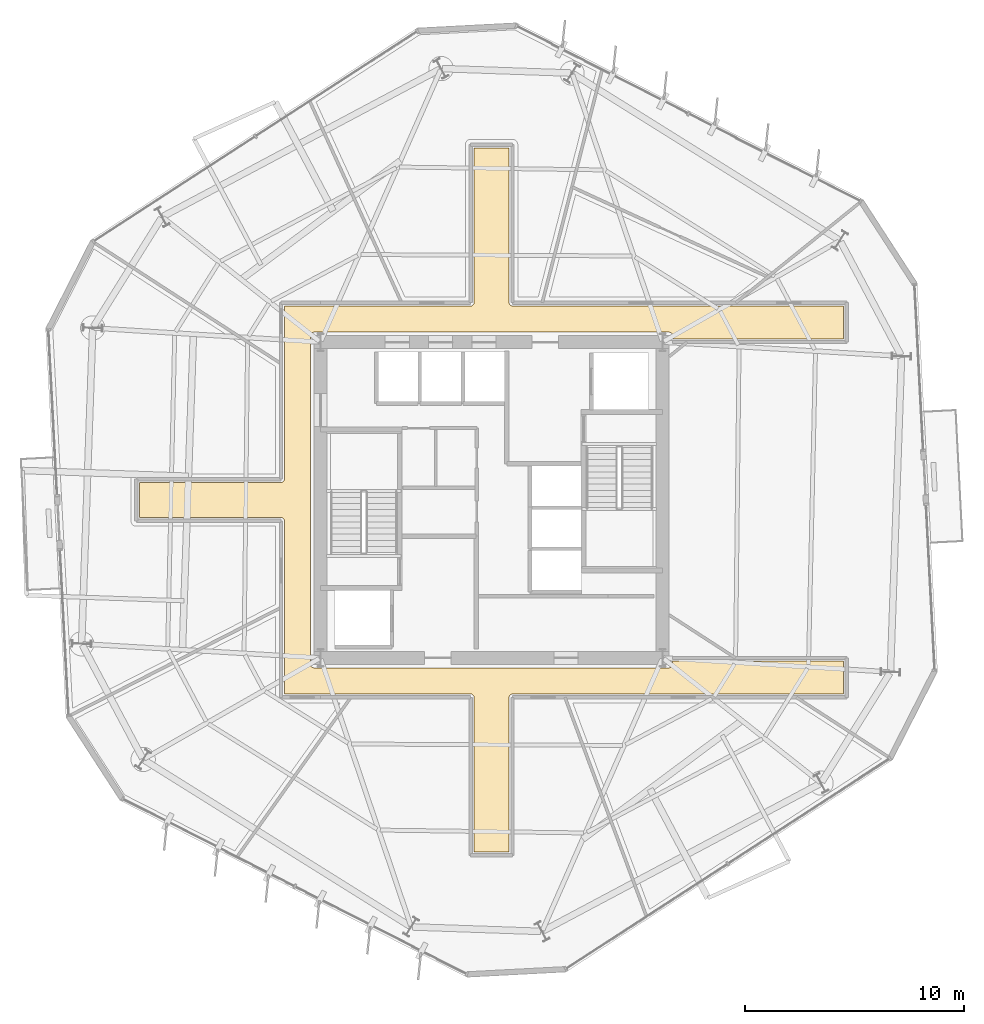
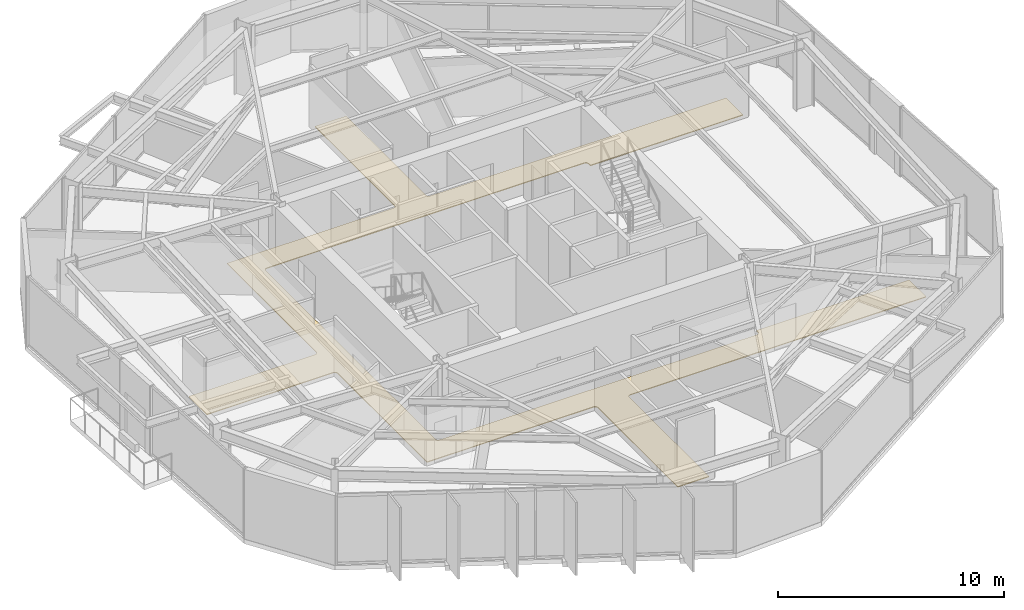
# One storey, part 10 of 12: 1 covering.
"""IFC4 building model written with IfcOpenShell, lengths in metres."""

from ifc_helpers import new_model, si_unit, direction, frame, origin, place, context, subcontext, project, spatial, polyline, outline, extrude, material, layer, layer_set, type_object, element, save


model = new_model("IFC4")

# Units and contexts
model_context = context("Model", 3, precision=1e-05, world=origin(), true_north=direction((0.0, 1.0)))
body_context = subcontext(model_context, "Body", "Model", "MODEL_VIEW")
ifc_project = project(units=[si_unit("LENGTHUNIT", "METRE"), si_unit("AREAUNIT", "SQUARE_METRE"), si_unit("VOLUMEUNIT", "CUBIC_METRE"), si_unit("PLANEANGLEUNIT", "RADIAN"), si_unit("MASSUNIT", "GRAM", prefix="KILO")], contexts=[model_context])

# Site, building, storey
site_placement = place(None, origin())
site = spatial("IfcSite", under=ifc_project, at=site_placement, CompositionType="ELEMENT")
building_placement = place(site_placement, origin())
building = spatial("IfcBuilding", under=site, at=building_placement, Name="Kranzbogen Civic Tower", CompositionType="ELEMENT")
storey_placement = place(building_placement, frame((0.0, 0.0, 154.39990234375)))
storey = spatial("IfcBuildingStorey", under=building, at=storey_placement, Name="L37", CompositionType="ELEMENT", Elevation=154.39990234375)

# Covering
ifc_material = material(Name="Honed Natural Stone Flooring", Category="masonry")
ifc_layer = layer(ifc_material, 0.0400390625, Name="Honed Natural Stone Flooring")
ifc_layer_set = layer_set([ifc_layer], Name="Honed Natural Stone Flooring")
covering_type = type_object("IfcCoveringType", Name="Honed Limestone Lobby Flooring 40 mm", PredefinedType="FLOORING", material=ifc_layer_set)
covering_placement = place(storey_placement, origin())
element("IfcCovering", 1, at=covering_placement, inside=storey, type_object=covering_type, Name="L37 concourse stone flooring 1", PredefinedType="FLOORING", context=body_context, shape_type="SweptSolid", body=[
    extrude(outline(polyline([(15.550048828125, 16.14990234375), (15.550048828125, 24.050048828125), (15.549072265625, 24.06494140625), (15.547119140625, 24.0791015625), (15.5439453125, 24.093994140625), (15.5390625, 24.10693359375), (15.531982421875, 24.12109375), (15.52490234375, 24.133056640625), (15.51611328125, 24.14501953125), (15.506103515625, 24.156005859375), (15.4951171875, 24.166015625), (15.48291015625, 24.175048828125), (15.470947265625, 24.181884765625), (15.45703125, 24.18896484375), (15.444091796875, 24.194091796875), (15.428955078125, 24.197021484375), (15.4150390625, 24.198974609375), (15.39990234375, 24.199951171875), (8.949951171875, 24.199951171875), (8.949951171875, 25.800048828125), (15.39990234375, 25.800048828125), (15.4150390625, 25.801025390625), (15.428955078125, 25.802978515625), (15.444091796875, 25.805908203125), (15.45703125, 25.81103515625), (15.470947265625, 25.818115234375), (15.48291015625, 25.824951171875), (15.4951171875, 25.833984375), (15.506103515625, 25.843994140625), (15.51611328125, 25.85498046875), (15.52490234375, 25.866943359375), (15.531982421875, 25.87890625), (15.5390625, 25.89306640625), (15.5439453125, 25.906005859375), (15.547119140625, 25.9208984375), (15.549072265625, 25.93505859375), (15.550048828125, 25.949951171875), (15.550048828125, 33.85009765625), (24.050048828125, 33.85009765625), (24.06494140625, 33.85107421875), (24.0791015625, 33.85302734375), (24.093994140625, 33.85595703125), (24.10693359375, 33.861083984375), (24.12109375, 33.867919921875), (24.133056640625, 33.875), (24.14501953125, 33.884033203125), (24.156005859375, 33.89404296875), (24.166015625, 33.905029296875), (24.175048828125, 33.9169921875), (24.181884765625, 33.928955078125), (24.18896484375, 33.943115234375), (24.194091796875, 33.9560546875), (24.197021484375, 33.970947265625), (24.198974609375, 33.985107421875), (24.199951171875, 34.0), (24.199951171875, 41.050048828125), (25.800048828125, 41.050048828125), (25.800048828125, 34.0), (25.801025390625, 33.985107421875), (25.802978515625, 33.970947265625), (25.805908203125, 33.9560546875), (25.81103515625, 33.943115234375), (25.818115234375, 33.928955078125), (25.824951171875, 33.9169921875), (25.833984375, 33.905029296875), (25.843994140625, 33.89404296875), (25.85498046875, 33.884033203125), (25.866943359375, 33.875), (25.87890625, 33.867919921875), (25.89306640625, 33.861083984375), (25.906005859375, 33.85595703125), (25.9208984375, 33.85302734375), (25.93505859375, 33.85107421875), (25.949951171875, 33.85009765625), (41.050048828125, 33.85009765625), (41.050048828125, 32.35009765625), (33.25, 32.35009765625), (33.25, 32.5), (33.2490234375, 32.514892578125), (33.2470703125, 32.529052734375), (33.243896484375, 32.5439453125), (33.239013671875, 32.556884765625), (33.23193359375, 32.571044921875), (33.22509765625, 32.5830078125), (33.216064453125, 32.594970703125), (33.2060546875, 32.60595703125), (33.195068359375, 32.615966796875), (33.18310546875, 32.625), (33.1708984375, 32.632080078125), (33.156982421875, 32.638916015625), (33.14404296875, 32.64404296875), (33.12890625, 32.64697265625), (33.114990234375, 32.64892578125), (33.10009765625, 32.64990234375), (16.89990234375, 32.64990234375), (16.885009765625, 32.64892578125), (16.87109375, 32.64697265625), (16.85595703125, 32.64404296875), (16.843017578125, 32.638916015625), (16.8291015625, 32.632080078125), (16.81689453125, 32.625), (16.804931640625, 32.615966796875), (16.7939453125, 32.60595703125), (16.783935546875, 32.594970703125), (16.77490234375, 32.5830078125), (16.76806640625, 32.571044921875), (16.760986328125, 32.556884765625), (16.756103515625, 32.5439453125), (16.7529296875, 32.529052734375), (16.7509765625, 32.514892578125), (16.75, 32.5), (16.75, 17.5), (16.7509765625, 17.485107421875), (16.7529296875, 17.470947265625), (16.756103515625, 17.4560546875), (16.760986328125, 17.443115234375), (16.76806640625, 17.428955078125), (16.77490234375, 17.4169921875), (16.783935546875, 17.405029296875), (16.7939453125, 17.39404296875), (16.804931640625, 17.384033203125), (16.81689453125, 17.375), (16.8291015625, 17.367919921875), (16.843017578125, 17.361083984375), (16.85595703125, 17.35595703125), (16.87109375, 17.35302734375), (16.885009765625, 17.35107421875), (16.89990234375, 17.35009765625), (33.10009765625, 17.35009765625), (33.114990234375, 17.35107421875), (33.12890625, 17.35302734375), (33.14404296875, 17.35595703125), (33.156982421875, 17.361083984375), (33.1708984375, 17.367919921875), (33.18310546875, 17.375), (33.195068359375, 17.384033203125), (33.2060546875, 17.39404296875), (33.216064453125, 17.405029296875), (33.22509765625, 17.4169921875), (33.23193359375, 17.428955078125), (33.239013671875, 17.443115234375), (33.243896484375, 17.4560546875), (33.2470703125, 17.470947265625), (33.2490234375, 17.485107421875), (33.25, 17.5), (33.25, 17.64990234375), (41.050048828125, 17.64990234375), (41.050048828125, 16.14990234375), (25.949951171875, 16.14990234375), (25.93505859375, 16.14892578125), (25.9208984375, 16.14697265625), (25.906005859375, 16.14404296875), (25.89306640625, 16.138916015625), (25.87890625, 16.132080078125), (25.866943359375, 16.125), (25.85498046875, 16.115966796875), (25.843994140625, 16.10595703125), (25.833984375, 16.094970703125), (25.824951171875, 16.0830078125), (25.818115234375, 16.071044921875), (25.81103515625, 16.056884765625), (25.805908203125, 16.0439453125), (25.802978515625, 16.029052734375), (25.801025390625, 16.014892578125), (25.800048828125, 16.0), (25.800048828125, 8.949951171875), (24.199951171875, 8.949951171875), (24.199951171875, 16.0), (24.198974609375, 16.014892578125), (24.197021484375, 16.029052734375), (24.194091796875, 16.0439453125), (24.18896484375, 16.056884765625), (24.181884765625, 16.071044921875), (24.175048828125, 16.0830078125), (24.166015625, 16.094970703125), (24.156005859375, 16.10595703125), (24.14501953125, 16.115966796875), (24.133056640625, 16.125), (24.12109375, 16.132080078125), (24.10693359375, 16.138916015625), (24.093994140625, 16.14404296875), (24.0791015625, 16.14697265625), (24.06494140625, 16.14892578125), (24.050048828125, 16.14990234375), (15.550048828125, 16.14990234375)])), origin(), (0.0, 0.0, 1.0), 0.0400390625),
])

save(model, "model.ifc")
